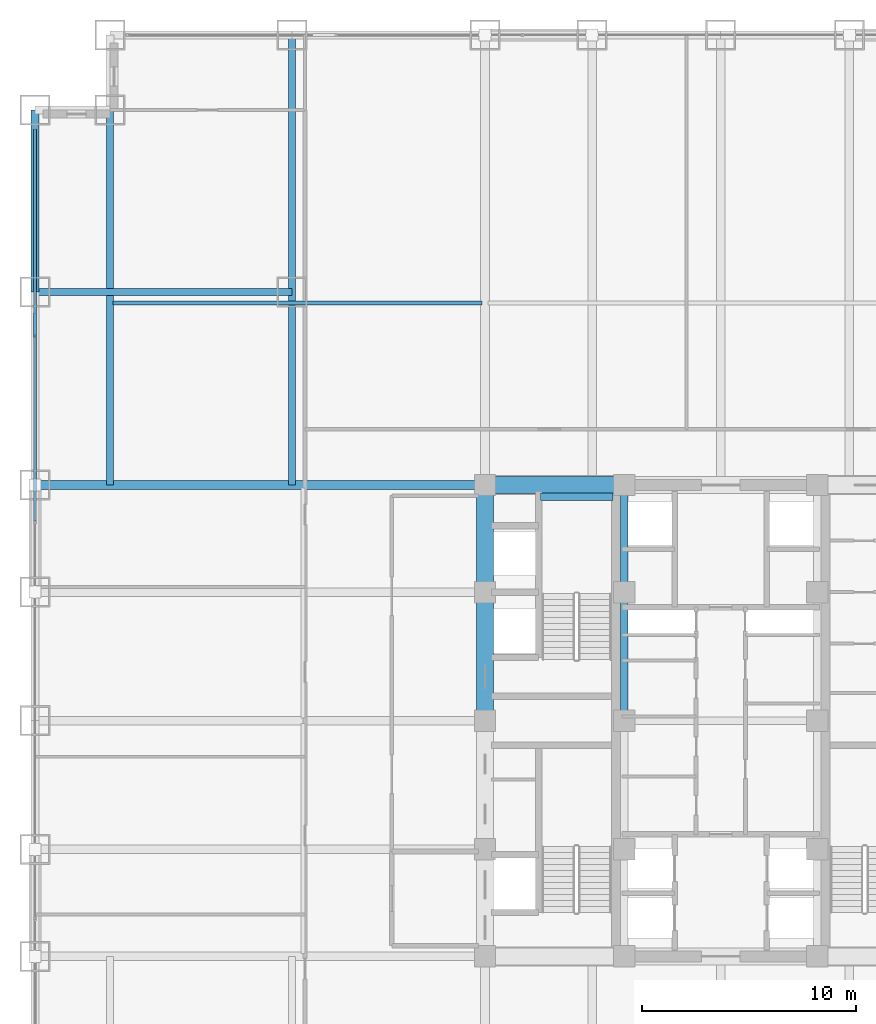
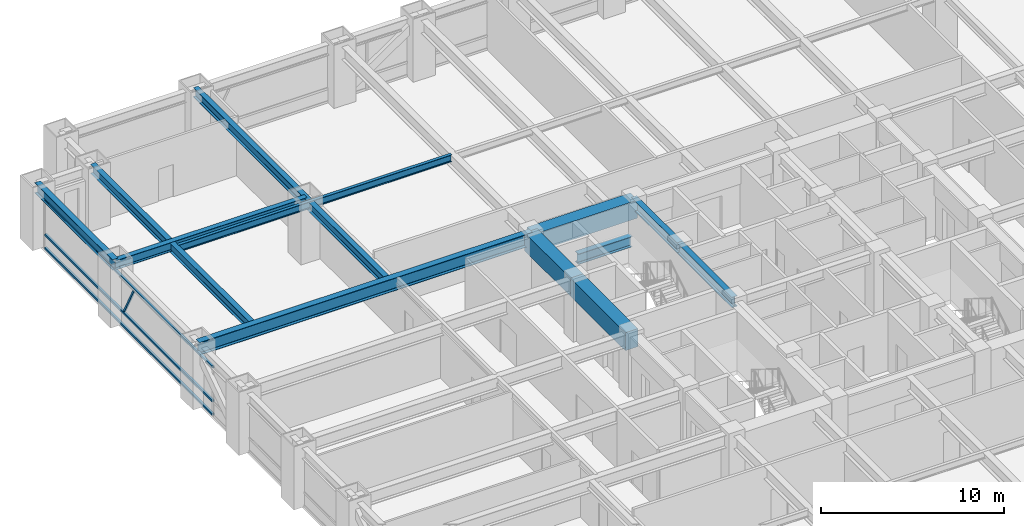
# One storey, part 13 of 28: 12 beams, 4 members, 1 element without a shape of its own.
"""IFC4 building model written with IfcOpenShell, lengths in metres."""

from ifc_helpers import new_model, si_unit, direction, frame, origin, origin_2d, place, context, subcontext, project, spatial, rectangle, hollow_rectangle, i_section, extrude, source, transform, mapped, material, material_profile, profile_set, type_object, element, aggregate, save


model = new_model("IFC4")

# Units and contexts
model_context = context("Model", 3, precision=1e-05, world=origin(), true_north=direction((0.0, 1.0)))
body_context = subcontext(model_context, "Body", "Model", "MODEL_VIEW")
ifc_project = project(units=[si_unit("LENGTHUNIT", "METRE"), si_unit("AREAUNIT", "SQUARE_METRE"), si_unit("VOLUMEUNIT", "CUBIC_METRE"), si_unit("PLANEANGLEUNIT", "RADIAN"), si_unit("MASSUNIT", "GRAM", prefix="KILO")], contexts=[model_context])

# Site, building, storey
site_placement = place(None, origin())
site = spatial("IfcSite", under=ifc_project, at=site_placement, CompositionType="ELEMENT")
building_placement = place(site_placement, origin())
building = spatial("IfcBuilding", under=site, at=building_placement, Name="Khorayat Bourse Tower", CompositionType="ELEMENT")
storey_placement = place(building_placement, frame((0.0, 0.0, 57.800048828125)))
storey = spatial("IfcBuildingStorey", under=building, at=storey_placement, Name="L12", CompositionType="ELEMENT", Elevation=57.800048828125)

# Beams
ifc_material_1 = material(Name="Concrete C72/90", Category="concrete")
ifc_material_profile_1 = material_profile(ifc_material_1, rectangle(XDim=0.800048828125, YDim=1.199951171875, at=origin_2d()), Name="RC 800x1200")
ifc_profile_set_1 = profile_set([ifc_material_profile_1], Name="Concrete C72/90")
beam_type_1 = type_object("IfcBeamType", Name="BM-COUP-1200", PredefinedType="BEAM", material=ifc_profile_set_1)
shared_shape_1 = source(origin(), body_context, "Body", "SweptSolid", [
    extrude(rectangle(XDim=0.800048828125, YDim=1.199951171875, at=origin_2d()), origin(), (0.0, 0.0, 1.0), 5.0),
])
beam_1_placement = place(storey_placement, frame((-11.0, 6.0, 3.33984375), z_axis=(0.0, 1.0, 0.0), x_axis=(-1.0, 0.0, 0.0)))
element("IfcBeam", 1, at=beam_1_placement, inside=storey, type_object=beam_type_1, Name="L12 BM-COUP-1200 BM-L12-CRX-04", PredefinedType="BEAM", context=body_context, shape_type="MappedRepresentation", body=[
    mapped(shared_shape_1, transform((0.0, 0.0, 0.0), scale=1.0)),
])
shared_shape_2 = source(origin(), body_context, "Body", "SweptSolid", [
    extrude(rectangle(XDim=0.800048828125, YDim=1.199951171875, at=origin_2d()), origin(), (0.0, 0.0, 1.0), 6.0),
])
beam_2_placement = place(storey_placement, frame((-11.0, 0.0, 3.33984375), z_axis=(0.0, 1.0, 0.0), x_axis=(-1.0, 0.0, 0.0)))
element("IfcBeam", 2, at=beam_2_placement, inside=storey, type_object=beam_type_1, Name="L12 BM-COUP-1200 BM-L12-CRX-03", PredefinedType="BEAM", context=body_context, shape_type="MappedRepresentation", body=[
    mapped(shared_shape_2, transform((0.0, 0.0, 0.0), scale=1.0)),
])
ifc_material_2 = material(Name="Steel ASTM A992 Grade 50", Category="steel")
ifc_material_profile_2 = material_profile(ifc_material_2, i_section(OverallWidth=0.35498046875, OverallDepth=0.695068359375, WebThickness=0.015380859375, FlangeThickness=0.02490234375, FilletRadius=0.01806640625, at=origin_2d()), Name="W690X217")
ifc_profile_set_2 = profile_set([ifc_material_profile_2], Name="Steel ASTM A992 Grade 50")
beam_type_2 = type_object("IfcBeamType", Name="BM-GIRD-690", PredefinedType="BEAM", material=ifc_profile_set_2)
shared_shape_3 = source(origin(), body_context, "Body", "SweptSolid", [
    extrude(i_section(OverallWidth=0.35498046875, OverallDepth=0.695068359375, WebThickness=0.015380859375, FlangeThickness=0.02490234375, FilletRadius=0.01806640625, at=origin_2d()), origin(), (0.0, 0.0, 1.0), 5.0),
])
beam_3_placement = place(storey_placement, frame((-4.5, 6.0, 3.592529296875), z_axis=(0.0, 1.0, 0.0), x_axis=(-1.0, 0.0, 0.0)))
element("IfcBeam", 3, at=beam_3_placement, inside=storey, type_object=beam_type_2, Name="L12 BM-GIRD-690 BM-L12-CRX-08", PredefinedType="BEAM", context=body_context, shape_type="MappedRepresentation", body=[
    mapped(shared_shape_3, transform((0.0, 0.0, 0.0), scale=1.0)),
])
shared_shape_4 = source(origin(), body_context, "Body", "SweptSolid", [
    extrude(i_section(OverallWidth=0.35498046875, OverallDepth=0.695068359375, WebThickness=0.015380859375, FlangeThickness=0.02490234375, FilletRadius=0.01806640625, at=origin_2d()), origin(), (0.0, 0.0, 1.0), 6.0),
])
beam_4_placement = place(storey_placement, frame((-4.5, 0.0, 3.592529296875), z_axis=(0.0, 1.0, 0.0), x_axis=(-1.0, 0.0, 0.0)))
element("IfcBeam", 4, at=beam_4_placement, inside=storey, type_object=beam_type_2, Name="L12 BM-GIRD-690 BM-L12-CRX-07", PredefinedType="BEAM", context=body_context, shape_type="MappedRepresentation", body=[
    mapped(shared_shape_4, transform((0.0, 0.0, 0.0), scale=1.0)),
])
shared_shape_5 = source(origin(), body_context, "Body", "SweptSolid", [
    extrude(rectangle(XDim=0.800048828125, YDim=1.199951171875, at=origin_2d()), origin(), (0.0, 0.0, 1.0), 6.5),
])
beam_5_placement = place(storey_placement, frame((-11.0, 11.0, 3.33984375), z_axis=(1.0, 0.0, 0.0), x_axis=(0.0, 1.0, 0.0)))
element("IfcBeam", 5, at=beam_5_placement, inside=storey, type_object=beam_type_1, Name="L12 BM-COUP-1200 BM-L12-CRY-20", PredefinedType="BEAM", context=body_context, shape_type="MappedRepresentation", body=[
    mapped(shared_shape_5, transform((0.0, 0.0, 0.0), scale=1.0)),
])
shared_shape_6 = source(origin(), body_context, "Body", "SweptSolid", [
    extrude(i_section(OverallWidth=0.35498046875, OverallDepth=0.695068359375, WebThickness=0.015380859375, FlangeThickness=0.02490234375, FilletRadius=0.01806640625, at=origin_2d()), origin(), (0.0, 0.0, 1.0), 3.39990234375),
])
beam_6_placement = place(storey_placement, frame((-8.419921875, 10.449951171875, 1.552490234375), z_axis=(1.0, 0.0, 0.0), x_axis=(0.0, 1.0, 0.0)))
element("IfcBeam", 6, at=beam_6_placement, inside=storey, type_object=beam_type_2, Name="L12 BM-GIRD-690 BM-L12-ST2L", PredefinedType="BEAM", context=body_context, shape_type="MappedRepresentation", body=[
    mapped(shared_shape_6, transform((0.0, 0.0, 0.0), scale=1.0)),
])
ifc_material_profile_3 = material_profile(ifc_material_2, i_section(OverallWidth=0.35498046875, OverallDepth=0.695068359375, WebThickness=0.015380859375, FlangeThickness=0.02490234375, FilletRadius=0.01806640625, at=origin_2d()), Name="W690X217")
ifc_profile_set_3 = profile_set([ifc_material_profile_3], Name="Steel ASTM A992 Grade 50")
beam_type_3 = type_object("IfcBeamType", Name="BM-SPAN-690", PredefinedType="SPANDREL", material=ifc_profile_set_3)
shared_shape_7 = source(origin(), body_context, "Body", "SweptSolid", [
    extrude(i_section(OverallWidth=0.35498046875, OverallDepth=0.695068359375, WebThickness=0.015380859375, FlangeThickness=0.02490234375, FilletRadius=0.01806640625, at=origin_2d()), origin(), (0.0, 0.0, 1.0), 8.5),
])
beam_7_placement = place(storey_placement, frame((-32.0, 20.0, 3.592529296875), z_axis=(0.0, 1.0, 0.0), x_axis=(-1.0, 0.0, 0.0)))
element("IfcBeam", 7, at=beam_7_placement, inside=storey, type_object=beam_type_3, Name="L12 BM-SPAN-690 BM-L12-SPN-054", PredefinedType="SPANDREL", context=body_context, shape_type="MappedRepresentation", body=[
    mapped(shared_shape_7, transform((0.0, 0.0, 0.0), scale=1.0)),
])
ifc_material_profile_4 = material_profile(ifc_material_2, i_section(OverallWidth=0.39990234375, OverallDepth=0.85498046875, WebThickness=0.018310546875, FlangeThickness=0.029296875, FilletRadius=0.02001953125, at=origin_2d()), Name="W840X299")
ifc_profile_set_4 = profile_set([ifc_material_profile_4], Name="Steel ASTM A992 Grade 50")
beam_type_4 = type_object("IfcBeamType", Name="BM-GIRD-840", PredefinedType="BEAM", material=ifc_profile_set_4)
shared_shape_8 = source(origin(), body_context, "Body", "SweptSolid", [
    extrude(i_section(OverallWidth=0.39990234375, OverallDepth=0.85498046875, WebThickness=0.018310546875, FlangeThickness=0.029296875, FilletRadius=0.02001953125, at=origin_2d()), origin(), (0.0, 0.0, 1.0), 21.0),
])
beam_8_placement = place(storey_placement, frame((-32.0, 11.0, 3.512451171875), z_axis=(1.0, 0.0, 0.0), x_axis=(0.0, 1.0, 0.0)))
element("IfcBeam", 8, at=beam_8_placement, inside=storey, type_object=beam_type_4, Name="L12 BM-GIRD-840 BM-L12-RADX-083", PredefinedType="BEAM", context=body_context, shape_type="MappedRepresentation", body=[
    mapped(shared_shape_8, transform((0.0, 0.0, 0.0), scale=1.0)),
])
ifc_material_profile_5 = material_profile(ifc_material_2, i_section(OverallWidth=0.324951171875, OverallDepth=0.615966796875, WebThickness=0.013916015625, FlangeThickness=0.021484375, FilletRadius=0.01611328125, at=origin_2d()), Name="W610X174")
ifc_profile_set_5 = profile_set([ifc_material_profile_5], Name="Steel ASTM A992 Grade 50")
beam_type_5 = type_object("IfcBeamType", Name="BM-GIRD-610", PredefinedType="BEAM", material=ifc_profile_set_5)
shared_shape_9 = source(origin(), body_context, "Body", "SweptSolid", [
    extrude(i_section(OverallWidth=0.324951171875, OverallDepth=0.615966796875, WebThickness=0.013916015625, FlangeThickness=0.021484375, FilletRadius=0.01611328125, at=origin_2d()), origin(), (0.0, 0.0, 1.0), 21.0),
])
beam_9_placement = place(storey_placement, frame((-20.0, 11.0, 3.6318359375), z_axis=(0.0, 1.0, 0.0), x_axis=(-1.0, 0.0, 0.0)))
element("IfcBeam", 9, at=beam_9_placement, inside=storey, type_object=beam_type_5, Name="L12 BM-GIRD-610 BM-L12-CNRY-085", PredefinedType="BEAM", context=body_context, shape_type="MappedRepresentation", body=[
    mapped(shared_shape_9, transform((0.0, 0.0, 0.0), scale=1.0)),
])
shared_shape_10 = source(origin(), body_context, "Body", "SweptSolid", [
    extrude(i_section(OverallWidth=0.324951171875, OverallDepth=0.615966796875, WebThickness=0.013916015625, FlangeThickness=0.021484375, FilletRadius=0.01611328125, at=origin_2d()), origin(), (0.0, 0.0, 1.0), 17.5),
])
beam_10_placement = place(storey_placement, frame((-28.5, 11.0, 3.6318359375), z_axis=(0.0, 1.0, 0.0), x_axis=(-1.0, 0.0, 0.0)))
element("IfcBeam", 10, at=beam_10_placement, inside=storey, type_object=beam_type_5, Name="L12 BM-GIRD-610 BM-L12-CNRY-089", PredefinedType="BEAM", context=body_context, shape_type="MappedRepresentation", body=[
    mapped(shared_shape_10, transform((0.0, 0.0, 0.0), scale=1.0)),
])
shared_shape_11 = source(origin(), body_context, "Body", "SweptSolid", [
    extrude(i_section(OverallWidth=0.324951171875, OverallDepth=0.615966796875, WebThickness=0.013916015625, FlangeThickness=0.021484375, FilletRadius=0.01611328125, at=origin_2d()), origin(), (0.0, 0.0, 1.0), 12.0),
])
beam_11_placement = place(storey_placement, frame((-32.0, 20.0, 3.6318359375), z_axis=(1.0, 0.0, 0.0), x_axis=(0.0, 1.0, 0.0)))
element("IfcBeam", 11, at=beam_11_placement, inside=storey, type_object=beam_type_5, Name="L12 BM-GIRD-610 BM-L12-CNRX-095", PredefinedType="BEAM", context=body_context, shape_type="MappedRepresentation", body=[
    mapped(shared_shape_11, transform((0.0, 0.0, 0.0), scale=1.0)),
])
ifc_material_profile_6 = material_profile(ifc_material_2, i_section(OverallWidth=0.194091796875, OverallDepth=0.468994140625, WebThickness=0.0126953125, FlangeThickness=0.0205078125, FilletRadius=0.012939453125, at=origin_2d()), Name="W460X106")
ifc_profile_set_6 = profile_set([ifc_material_profile_6], Name="Steel ASTM A992 Grade 50")
beam_type_6 = type_object("IfcBeamType", Name="BM-JOIST-460", PredefinedType="JOIST", material=ifc_profile_set_6)
shared_shape_12 = source(origin(), body_context, "Body", "SweptSolid", [
    extrude(i_section(OverallWidth=0.194091796875, OverallDepth=0.468994140625, WebThickness=0.0126953125, FlangeThickness=0.0205078125, FilletRadius=0.012939453125, at=origin_2d()), origin(), (0.0, 0.0, 1.0), 17.240234375),
])
beam_12_placement = place(storey_placement, frame((-28.3701171875, 19.5, 3.70556640625), z_axis=(1.0, 0.0, 0.0), x_axis=(0.0, 1.0, 0.0)))
element("IfcBeam", 12, at=beam_12_placement, inside=storey, type_object=beam_type_6, Name="L12 BM-JOIST-460 BM-L12-JSTX-099", PredefinedType="JOIST", context=body_context, shape_type="MappedRepresentation", body=[
    mapped(shared_shape_12, transform((0.0, 0.0, 0.0), scale=1.0)),
])

# Curtain wall, members
ifc_material_3 = material(Name="Aluminium EN AW-6063 T6", Category="aluminium")
curtain_wall_type = type_object("IfcCurtainWallType", Name="CW-SYS-02", PredefinedType="NOTDEFINED", material=ifc_material_3)
curtain_wall_placement = place(storey_placement, origin())
curtain_wall = element("IfcCurtainWall", 13, at=curtain_wall_placement, inside=storey, type_object=curtain_wall_type, Name="L12 Curtain Wall CW-L12-W1", PredefinedType="NOTDEFINED")
ifc_material_profile_7 = material_profile(ifc_material_3, hollow_rectangle(XDim=0.139892578125, YDim=0.139892578125, WallThickness=0.006103515625, at=origin_2d()), Name="ALU 140x140x6")
ifc_profile_set_7 = profile_set([ifc_material_profile_7], Name="Aluminium EN AW-6063 T6")
member_type_1 = type_object("IfcMemberType", Name="CWT-HORZ-140", PredefinedType="USERDEFINED", material=ifc_profile_set_7)
shared_shape_13 = source(origin(), body_context, "Body", "SweptSolid", [
    extrude(hollow_rectangle(XDim=0.139892578125, YDim=0.139892578125, WallThickness=0.006103515625, at=origin_2d()), origin(), (0.0, 0.0, 1.0), 18.2900390625),
])
member_1_placement = place(storey_placement, frame((-32.0, 9.320068359375, 0.070068359375), z_axis=(0.0, 1.0, 0.0), x_axis=(-1.0, 0.0, 0.0)))
member_1 = element("IfcMember", 14, at=member_1_placement, type_object=member_type_1, Name="CW-L12-W1 Horizontal Transom 3-1", ObjectType="TRANSOM", PredefinedType="USERDEFINED", context=body_context, shape_type="MappedRepresentation", body=[
    mapped(shared_shape_13, transform((0.0, 0.0, 0.0), scale=1.0)),
])
member_2_placement = place(storey_placement, frame((-32.0, 9.320068359375, 0.949951171875), z_axis=(0.0, 1.0, 0.0), x_axis=(-1.0, 0.0, 0.0)))
member_2 = element("IfcMember", 15, at=member_2_placement, type_object=member_type_1, Name="CW-L12-W1 Horizontal Transom 3-2", ObjectType="TRANSOM", PredefinedType="USERDEFINED", context=body_context, shape_type="MappedRepresentation", body=[
    mapped(shared_shape_13, transform((0.0, 0.0, 0.0), scale=1.0)),
])
member_3_placement = place(storey_placement, frame((-32.0, 9.320068359375, 3.219970703125), z_axis=(0.0, 1.0, 0.0), x_axis=(-1.0, 0.0, 0.0)))
member_3 = element("IfcMember", 16, at=member_3_placement, type_object=member_type_1, Name="CW-L12-W1 Horizontal Transom 3-3", ObjectType="TRANSOM", PredefinedType="USERDEFINED", context=body_context, shape_type="MappedRepresentation", body=[
    mapped(shared_shape_13, transform((0.0, 0.0, 0.0), scale=1.0)),
])
ifc_material_profile_8 = material_profile(ifc_material_3, hollow_rectangle(XDim=0.1201171875, YDim=0.1201171875, WallThickness=0.0048828125, at=origin_2d()), Name="ALU 120x120x5")
ifc_profile_set_8 = profile_set([ifc_material_profile_8], Name="Aluminium EN AW-6063 T6")
member_type_2 = type_object("IfcMemberType", Name="CWM-DIAG-120", PredefinedType="MULLION", material=ifc_profile_set_8)
shared_shape_14 = source(origin(), body_context, "Body", "SweptSolid", [
    extrude(hollow_rectangle(XDim=0.1201171875, YDim=0.1201171875, WallThickness=0.0048828125, at=origin_2d()), origin(), (0.0, 0.0, 1.0), 2.226318359375),
])
member_4_placement = place(storey_placement, frame((-32.0, 18.9833984375, 1.099853515625), z_axis=(0.0, -0.465714796031, 0.884934872608), x_axis=(1.0, 0.0, 0.0)))
member_4 = element("IfcMember", 17, at=member_4_placement, type_object=member_type_2, Name="CW-L12-W1 Faceted Diagonal Mullion 3", PredefinedType="MULLION", context=body_context, shape_type="MappedRepresentation", body=[
    mapped(shared_shape_14, transform((0.0, 0.0, 0.0), scale=1.0)),
])
aggregate(curtain_wall, [member_1, member_2, member_3, member_4])

save(model, "model.ifc")
